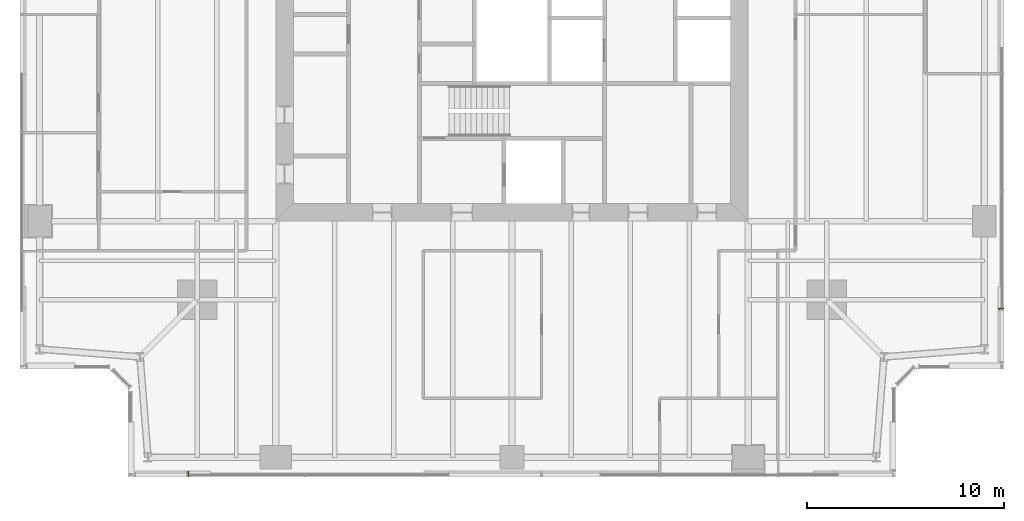
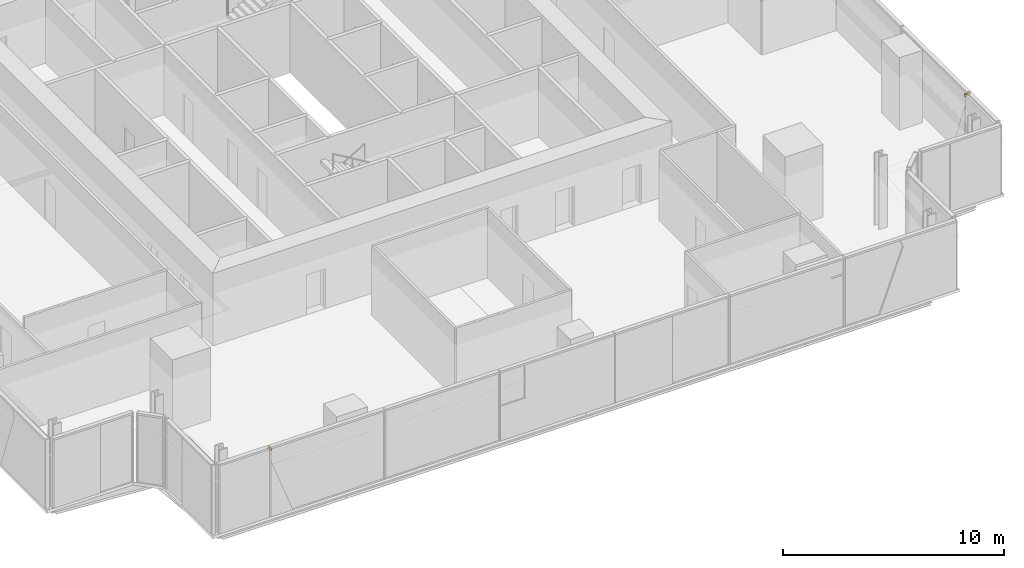
# One storey, part 15 of 16: 2 coverings.
"""IFC4 building model written with IfcOpenShell, lengths in metres."""

from ifc_helpers import new_model, si_unit, direction, frame, origin, place, context, subcontext, project, spatial, polyline, outline, extrude, material, layer, layer_set, type_object, element, save


model = new_model("IFC4")

# Units and contexts
model_context = context("Model", 3, precision=1e-05, world=origin(), true_north=direction((0.0, 1.0)))
body_context = subcontext(model_context, "Body", "Model", "MODEL_VIEW")
ifc_project = project(units=[si_unit("LENGTHUNIT", "METRE"), si_unit("AREAUNIT", "SQUARE_METRE"), si_unit("VOLUMEUNIT", "CUBIC_METRE"), si_unit("PLANEANGLEUNIT", "RADIAN"), si_unit("MASSUNIT", "GRAM", prefix="KILO")], contexts=[model_context])

# Site, building, storey
site_placement = place(None, origin())
site = spatial("IfcSite", under=ifc_project, at=site_placement, CompositionType="ELEMENT")
building_placement = place(site_placement, origin())
building = spatial("IfcBuilding", under=site, at=building_placement, Name="Fenwick Lantern Interchange", CompositionType="ELEMENT")
storey_placement = place(building_placement, frame((0.0, 0.0, 181.800048828125)))
storey = spatial("IfcBuildingStorey", under=building, at=storey_placement, Name="L42", CompositionType="ELEMENT", Elevation=181.800048828125)

# Coverings
ifc_material = material(Name="Granite cladding, warm grey flamed finish, on aluminium carrier frame", Category="masonry")
ifc_layer = layer(ifc_material, 0.300048828125)
ifc_layer_set = layer_set([ifc_layer], Name="BRACE CASING PANEL 300")
covering_type = type_object("IfcCoveringType", Name="BRACE CASING PANEL 300", PredefinedType="CLADDING", material=ifc_layer_set)
for number, where, z_axis, x_axis, name in (
    (1, (5.60009765625, 0.10009765625, 3.614501953125), (0.0, 0.0, 1.0), (1.0, 0.0, 0.0), "Brace casing 01 bay 01b"),
    (2, (49.89990234375, 5.60009765625, 3.614501953125), (0.0, 0.0, 1.0), (0.0, 1.0, 0.0), "Brace casing 05 bay 01b"),
):
    element("IfcCovering", number, at=place(storey_placement, frame(where, z_axis=z_axis, x_axis=x_axis)), inside=storey, type_object=covering_type, Name=name, PredefinedType="CLADDING", context=body_context, shape_type="SweptSolid", body=[
        extrude(outline(polyline([(2.9326171875, 0.0), (2.987548828125, 0.135498046875), (2.9326171875, 0.135498046875), (2.9326171875, 0.0)])), frame((0.0, 0.2001953125, 0.0), z_axis=(0.0, -1.0, 0.0), x_axis=(1.0, 0.0, 0.0)), (0.0, 0.0, 1.0), 0.300048828125),
    ])

save(model, "model.ifc")
